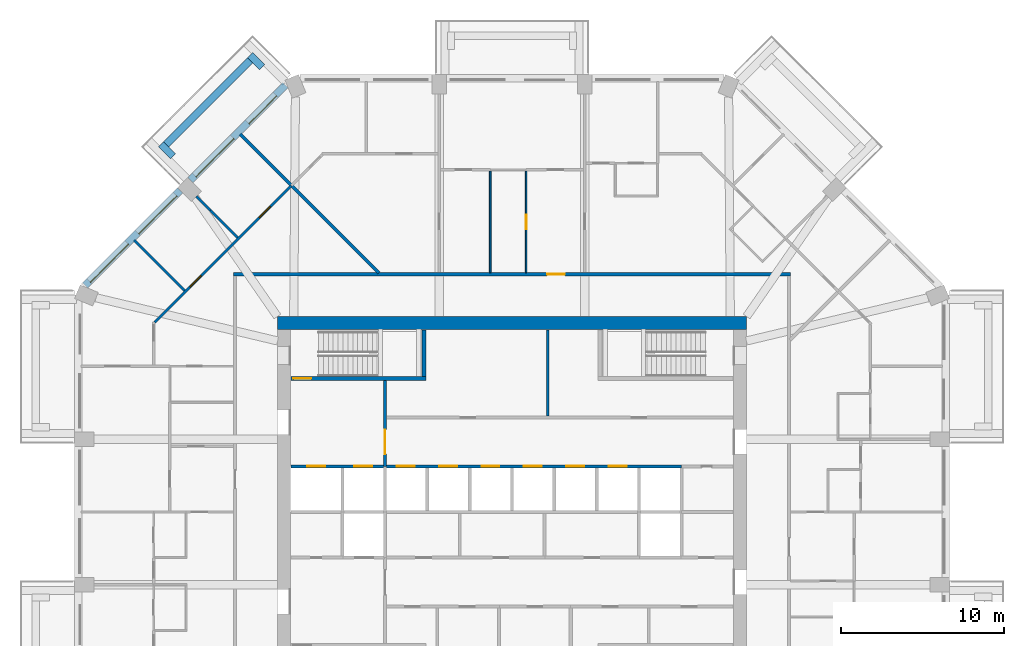
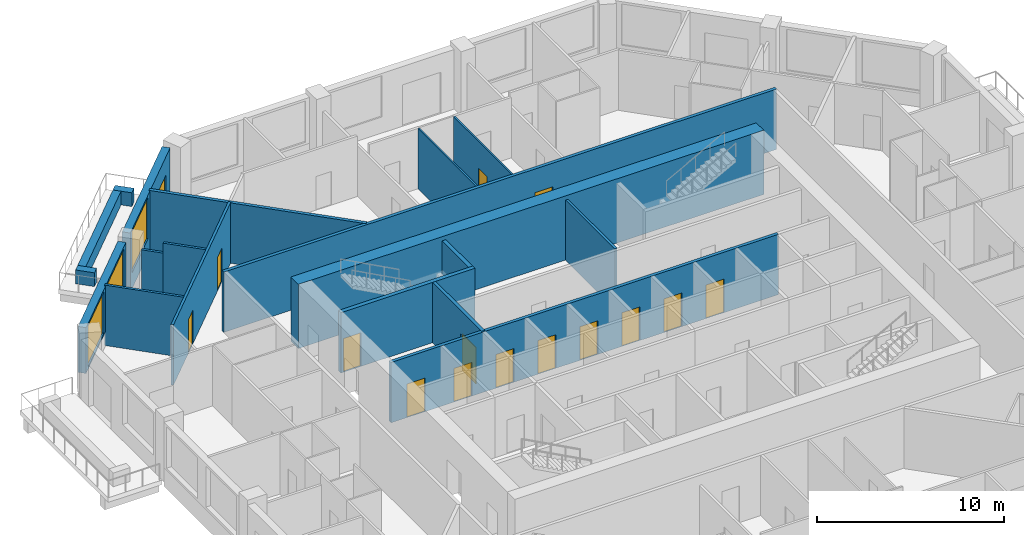
# One storey, part 8 of 13: 19 walls, 15 doors, 3 windows, 18 openings.
"""IFC4 building model written with IfcOpenShell, lengths in metres."""

import ifcopenshell
import ifcopenshell.guid

model = None  # the IFC model being written
_history = None  # IfcOwnerHistory: only IFC2X3 demands one
_inside = {}  # id of a spatial element -> (the spatial element, [elements in it])
_under = {}  # id of a project, library or spatial element -> (it, [spatial elements below it])
_declared = {}  # id of a project -> (the project, [libraries it declares])
_typed = {}  # id of a type object -> (the type object, [elements of that type])
_made_of = {}  # id of a material, layer set ... -> (it, [elements and type objects made of it])


def new_model(schema):
    """Start an empty IFC model of exactly this schema.

    Asked for "IFC4X3", IfcOpenShell would pick the latest addendum, in which some entities
    have other attributes; the version numbers below select the first issue.
    IFC2X3 requires an IfcOwnerHistory on every rooted entity: one is made here for all.
    """
    global model, _history
    if schema == "IFC4X3":
        model = ifcopenshell.file(schema_version=(4, 3, 0, 0))
    else:
        model = ifcopenshell.file(schema=schema)
    _inside.clear()
    _under.clear()
    _declared.clear()
    _typed.clear()
    _made_of.clear()
    _history = None
    if model.schema == "IFC2X3":
        org = make("IfcOrganization", Name="unknown")
        user = make(
            "IfcPersonAndOrganization",
            ThePerson=make("IfcPerson", FamilyName="unknown"),
            TheOrganization=org,
        )
        app = make(
            "IfcApplication",
            ApplicationDeveloper=org,
            Version="unknown",
            ApplicationFullName="unknown",
            ApplicationIdentifier="unknown",
        )
        _history = make(
            "IfcOwnerHistory",
            OwningUser=user,
            OwningApplication=app,
            ChangeAction="ADDED",
            CreationDate=0,
        )
    return model


def make(cls, **values):
    """One entity of the class cls with the attributes given. An attribute that is None is left unset."""
    return model.create_entity(
        cls, **{name: value for name, value in values.items() if value is not None}
    )


def rooted(cls, **values):
    """An entity with a GlobalId (a new one), such as an element, a storey or a relation."""
    return make(cls, GlobalId=ifcopenshell.guid.new(), OwnerHistory=_history, **values)


def si_unit(unit_type, name, prefix=None):
    """IfcSIUnit, for example si_unit("LENGTHUNIT", "METRE", prefix="MILLI")."""
    return make("IfcSIUnit", UnitType=unit_type, Prefix=prefix, Name=name)


def assignment(units):
    """IfcUnitAssignment: the units of a project."""
    return None if units is None else make("IfcUnitAssignment", Units=units)


def point(xyz):
    """IfcCartesianPoint."""
    return None if xyz is None else make("IfcCartesianPoint", Coordinates=xyz)


def direction(xyz):
    """IfcDirection."""
    return None if xyz is None else make("IfcDirection", DirectionRatios=xyz)


def frame(location, z_axis=None, x_axis=None):
    """IfcAxis2Placement3D, a coordinate frame: its origin and axes. An axis left out is left unset."""
    return make(
        "IfcAxis2Placement3D",
        Location=point(location),
        Axis=direction(z_axis),
        RefDirection=direction(x_axis),
    )


def frame_2d(location, x_axis=None):
    """IfcAxis2Placement2D, a coordinate frame in the plane: its origin and x axis."""
    return make(
        "IfcAxis2Placement2D", Location=point(location), RefDirection=direction(x_axis)
    )


def origin():
    """The frame at (0, 0, 0) with its axes left unset."""
    return frame((0.0, 0.0, 0.0))


def place(relative_to, where):
    """IfcLocalPlacement: puts the frame where relative to a parent placement (None: the world)."""
    return make(
        "IfcLocalPlacement", PlacementRelTo=relative_to, RelativePlacement=where
    )


def context(
    kind, dimensions, precision=None, world=None, true_north=None, identifier=None
):
    """IfcGeometricRepresentationContext, for example the 3D "Model" context."""
    return make(
        "IfcGeometricRepresentationContext",
        ContextIdentifier=identifier,
        ContextType=kind,
        CoordinateSpaceDimension=dimensions,
        Precision=precision,
        WorldCoordinateSystem=world,
        TrueNorth=true_north,
    )


def subcontext(parent, identifier, kind, view, scale=None):
    """IfcGeometricRepresentationSubContext, for example "Body" below "Model"."""
    return make(
        "IfcGeometricRepresentationSubContext",
        ContextIdentifier=identifier,
        ContextType=kind,
        ParentContext=parent,
        TargetScale=scale,
        TargetView=view,
    )


def project(units=None, contexts=None):
    """IfcProject with its units and contexts."""
    return rooted(
        "IfcProject",
        Name="project",
        RepresentationContexts=contexts,
        UnitsInContext=assignment(units),
    )


def spatial(cls, under=None, at=None, **own):
    """A site, building, storey or space (cls), placed at a placement, below another one or the project."""
    s = rooted(cls, ObjectPlacement=at, **own)
    if under is not None:
        _under.setdefault(under.id(), (under, []))[1].append(s)
    return s


def profile(cls, at=None, kind="AREA", **sizes):
    """A parametric profile (cls). Its sizes go by their IFC names, for example OverallWidth=200.0."""
    return make(cls, ProfileType=kind, Position=at, **sizes)


def rectangle(**sizes):
    """IfcRectangleProfileDef."""
    return profile("IfcRectangleProfileDef", **sizes)


def extrude(swept, where, along, depth):
    """IfcExtrudedAreaSolid: the profile swept, set in the frame where, extruded along a direction by depth."""
    return make(
        "IfcExtrudedAreaSolid",
        SweptArea=swept,
        Position=where,
        ExtrudedDirection=direction(along),
        Depth=depth,
    )


def shape(context_of_items, identifier, shape_type, items):
    """IfcShapeRepresentation: the items that make up one representation, for example the "Body"."""
    return make(
        "IfcShapeRepresentation",
        ContextOfItems=context_of_items,
        RepresentationIdentifier=identifier,
        RepresentationType=shape_type,
        Items=items,
    )


def material(Name=None, Category=None):
    """IfcMaterial."""
    return make("IfcMaterial", Name=Name, Category=Category)


def layer(
    of_material, thickness, ventilated=None, Name=None, Category=None, Priority=None
):
    """IfcMaterialLayer: one layer of a wall or slab, of a material (None: an air gap)."""
    return make(
        "IfcMaterialLayer",
        Material=of_material,
        LayerThickness=thickness,
        IsVentilated=ventilated,
        Name=Name,
        Category=Category,
        Priority=Priority,
    )


def layer_set(layers, Name=None):
    """IfcMaterialLayerSet."""
    return make("IfcMaterialLayerSet", MaterialLayers=layers, LayerSetName=Name)


def made_of(thing, what):
    """Note that an element or type object is made of a material, layer set ...; save() writes the relation."""
    if what is not None:
        _made_of.setdefault(what.id(), (what, []))[1].append(thing)
    return thing


def type_object(cls, material=None, **own):
    """A type object (cls), such as IfcWallType, which elements share."""
    return made_of(rooted(cls, **own), material)


def element(
    cls,
    number,
    at=None,
    inside=None,
    cuts=None,
    type_object=None,
    material=None,
    context=None,
    identifier="Body",
    shape_type=None,
    held_by="IfcProductDefinitionShape",
    body=None,
    shapes=None,
    **own,
):
    """One element of the class cls, such as IfcWall. Its Tag is "e" and its number.

    at: its placement. inside: the storey or other place that contains it. cuts: it is an
    opening in that element (IfcRelVoidsElement). A single representation is given by context,
    identifier, shape_type and body (its items); several are given by shapes. held_by: the class
    of the entity that holds the representations. save() writes the other relations.
    """
    e = rooted(cls, Tag="e%d" % number, ObjectPlacement=at, **own)
    if body is not None:
        shapes = [shape(context, identifier, shape_type, body)]
    if shapes is not None:
        e.Representation = make(held_by, Representations=shapes)
    if inside is not None:
        _inside.setdefault(inside.id(), (inside, []))[1].append(e)
    if cuts is not None:
        rooted(
            "IfcRelVoidsElement", RelatingBuildingElement=cuts, RelatedOpeningElement=e
        )
    if type_object is not None:
        _typed.setdefault(type_object.id(), (type_object, []))[1].append(e)
    return made_of(e, material)


def fill(opening, filler):
    """IfcRelFillsElement: the door or window that sits in an opening."""
    return rooted(
        "IfcRelFillsElement",
        RelatingOpeningElement=opening,
        RelatedBuildingElement=filler,
    )


def aggregate(whole, parts):
    """IfcRelAggregates: a whole, such as a stair, and the parts it consists of."""
    return rooted("IfcRelAggregates", RelatingObject=whole, RelatedObjects=parts)


def save(model, path):
    """Write the relations noted so far, then the file.

    IfcRelAggregates (storeys below a building ...), IfcRelContainedInSpatialStructure (elements
    in a storey), IfcRelDefinesByType, IfcRelAssociatesMaterial and IfcRelDeclares: one each for
    every whole, place, type object, material and project.
    """
    for whole, parts in _under.values():
        aggregate(whole, parts)
    for where, things in _inside.values():
        rooted(
            "IfcRelContainedInSpatialStructure",
            RelatedElements=things,
            RelatingStructure=where,
        )
    for kind, things in _typed.values():
        rooted("IfcRelDefinesByType", RelatedObjects=things, RelatingType=kind)
    for what, things in _made_of.values():
        rooted("IfcRelAssociatesMaterial", RelatedObjects=things, RelatingMaterial=what)
    for by, libraries in _declared.values():
        rooted("IfcRelDeclares", RelatingContext=by, RelatedDefinitions=libraries)
    model.write(path)


model = new_model("IFC4")

# Units and contexts
model_context = context("Model", 3, precision=1e-05, world=origin(), true_north=direction((0.0, 1.0)))
body_context = subcontext(model_context, "Body", "Model", "MODEL_VIEW")
ifc_project = project(units=[si_unit("LENGTHUNIT", "METRE"), si_unit("AREAUNIT", "SQUARE_METRE"), si_unit("VOLUMEUNIT", "CUBIC_METRE"), si_unit("PLANEANGLEUNIT", "RADIAN"), si_unit("MASSUNIT", "GRAM", prefix="KILO")], contexts=[model_context])

# Site, building, storey
site_placement = place(None, origin())
site = spatial("IfcSite", under=ifc_project, at=site_placement, CompositionType="ELEMENT")
building_placement = place(site_placement, origin())
building = spatial("IfcBuilding", under=site, at=building_placement, Name="Msitu Wima Residences", CompositionType="ELEMENT")
storey_placement = place(building_placement, frame((0.0, 0.0, 135.89990234375)))
storey = spatial("IfcBuildingStorey", under=building, at=storey_placement, Name="L31", CompositionType="ELEMENT", Elevation=135.89990234375)

# Walls
ifc_material_1 = material(Name="Facing brick")
ifc_layer_1 = layer(ifc_material_1, 0.06494140625, Name="Facing brick")
ifc_material_2 = material(Name="Concrete C40/50", Category="concrete")
ifc_layer_2 = layer(ifc_material_2, 0.156005859375, Name="Concrete C40/50")
ifc_material_3 = material(Name="Waterproofing membrane")
ifc_layer_3 = layer(ifc_material_3, 0.00390625, Name="Waterproofing membrane")
ifc_material_4 = material(Name="Planting soil and planting")
ifc_layer_4 = layer(ifc_material_4, 0.22509765625, Name="Planting soil and planting")
ifc_layer_set_1 = layer_set([ifc_layer_1, ifc_layer_2, ifc_layer_3, ifc_layer_4], Name="Concrete C40/50")
wall_type_1 = type_object("IfcWallType", Name="Balcony planter PLANTER PL450", PredefinedType="USERDEFINED", material=ifc_layer_set_1)
wall_1_placement = place(storey_placement, frame((-16.0751953125, 27.725830078125, 0.0), z_axis=(0.0, 0.0, 1.0), x_axis=(-0.707106781187, -0.707106781187, 0.0)))
element("IfcWall", 1, at=wall_1_placement, inside=storey, type_object=wall_type_1, Name="Balcony planter NW0 L31", ObjectType="PLANTER", PredefinedType="USERDEFINED", context=body_context, shape_type="SweptSolid", body=[
    extrude(rectangle(XDim=7.288330078125, YDim=0.449951171875, at=frame_2d((3.64404296875, 0.0))), origin(), (0.0, 0.0, 1.0), 0.900146484375),
])
for number, where, z_axis, x_axis, name in (
    (2, (-15.332763671875, 27.301513671875, 0.0), (0.0, 0.0, 1.0), (-0.707106781187, 0.707106781187, 0.0), "Balcony planter NW0 L31"),
    (3, (-20.804443359375, 21.829833984375, 0.0), (0.0, 0.0, 1.0), (-0.707106781187, 0.707106781187, 0.0), "Balcony planter NW0 L31"),
):
    element("IfcWall", number, at=place(storey_placement, frame(where, z_axis=z_axis, x_axis=x_axis)), inside=storey, type_object=wall_type_1, Name=name, ObjectType="PLANTER", PredefinedType="USERDEFINED", context=body_context, shape_type="SweptSolid", body=[
        extrude(rectangle(XDim=1.050048828125, YDim=0.449951171875, at=frame_2d((0.52490234375, 0.0))), origin(), (0.0, 0.0, 1.0), 0.900146484375),
    ])

# Wall, openings, door, window
ifc_material_5 = material(Name="Brick (red buff mix)", Category="masonry")
ifc_layer_5 = layer(ifc_material_5, 0.449951171875)
ifc_layer_set_2 = layer_set([ifc_layer_5], Name="Brick (red buff mix)")
wall_type_2 = type_object("IfcWallType", Name="Brick infill wall BW450", PredefinedType="SOLIDWALL", material=ifc_layer_set_2)
wall_2_placement = place(storey_placement, frame((-13.909423828125, 26.214599609375, 0.0), z_axis=(0.0, 0.0, 1.0), x_axis=(-0.707106781187, -0.707106781187, 0.0)))
wall_2 = element("IfcWall", 4, at=wall_2_placement, inside=storey, type_object=wall_type_2, Name="Brick infill wall L31 NW0", PredefinedType="SOLIDWALL", context=body_context, shape_type="SweptSolid", body=[
    extrude(rectangle(XDim=8.251220703125, YDim=0.449951171875, at=frame_2d((4.12548828125, 0.0))), origin(), (0.0, 0.0, 1.0), 3.900146484375),
])
opening_1_placement = place(wall_2_placement, frame((0.86279296875, 0.0, 0.0)))
opening_1 = element("IfcOpeningElement", 5, at=opening_1_placement, cuts=wall_2, Name="Opening D30-32.005", PredefinedType="OPENING", context=body_context, shape_type="SweptSolid", body=[
    extrude(rectangle(XDim=2.39990234375, YDim=2.699951171875, at=frame_2d((1.199951171875, 1.35009765625))), frame((0.0, 0.23486328125, 0.0), z_axis=(0.0, -1.0, 0.0), x_axis=(1.0, 0.0, 0.0)), (0.0, 0.0, 1.0), 0.469970703125),
])
opening_2_placement = place(wall_2_placement, frame((4.57568359375, 0.0, 1.050048828125)))
opening_2 = element("IfcOpeningElement", 6, at=opening_2_placement, cuts=wall_2, Name="Opening W30-32.013", PredefinedType="OPENING", context=body_context, shape_type="SweptSolid", body=[
    extrude(rectangle(XDim=3.300048828125, YDim=2.699951171875, at=frame_2d((1.64990234375, 1.35009765625))), frame((0.0, 0.23486328125, 0.0), z_axis=(0.0, -1.0, 0.0), x_axis=(1.0, 0.0, 0.0)), (0.0, 0.0, 1.0), 0.469970703125),
])
ifc_material_6 = material(Name="Anodised aluminium, bronze finish, clear low-emissivity double glazing", Category="aluminium")
door_type_1 = type_object("IfcDoorType", Name="Balcony door D2400x2700", OperationType="SLIDING_TO_LEFT", PredefinedType="DOOR", material=ifc_material_6)
door_1_placement = place(opening_1_placement, origin())
door_1 = element("IfcDoor", 7, at=door_1_placement, inside=storey, type_object=door_type_1, Name="Balcony door L31 NW0", OperationType="SINGLE_SWING_LEFT", OverallHeight=2.699951171875, OverallWidth=2.39990234375, PredefinedType="DOOR", context=body_context, shape_type="SweptSolid", body=[
    extrude(rectangle(XDim=2.39990234375, YDim=2.699951171875, at=frame_2d((1.199951171875, 1.35009765625))), frame((0.0, 0.1298828125, 0.0), z_axis=(0.0, -1.0, 0.0), x_axis=(1.0, 0.0, 0.0)), (0.0, 0.0, 1.0), 0.050048828125),
])
fill(opening_1, door_1)
window_type = type_object("IfcWindowType", Name="Window W3300x2700", PartitioningType="DOUBLE_PANEL_VERTICAL", PredefinedType="WINDOW", material=ifc_material_6)
window_1_placement = place(opening_2_placement, origin())
window_1 = element("IfcWindow", 8, at=window_1_placement, inside=storey, type_object=window_type, Name="Window L31 NW0.2", OverallHeight=2.699951171875, OverallWidth=3.300048828125, PartitioningType="SINGLE_PANEL", PredefinedType="WINDOW", context=body_context, shape_type="SweptSolid", body=[
    extrude(rectangle(XDim=3.300048828125, YDim=2.699951171875, at=frame_2d((1.64990234375, 1.35009765625))), frame((0.0, 0.135009765625, 0.0), z_axis=(0.0, -1.0, 0.0), x_axis=(1.0, 0.0, 0.0)), (0.0, 0.0, 1.0), 0.06005859375),
])
fill(opening_2, window_1)

# Wall, openings, windows
wall_3_placement = place(storey_placement, frame((-20.380126953125, 19.743896484375, 0.900146484375), z_axis=(0.0, 0.0, 1.0), x_axis=(-0.707106781187, -0.707106781187, 0.0)))
wall_3 = element("IfcWall", 9, at=wall_3_placement, inside=storey, type_object=wall_type_2, Name="Brick infill wall L31 NW1", PredefinedType="SOLIDWALL", context=body_context, shape_type="SweptSolid", body=[
    extrude(rectangle(XDim=8.251220703125, YDim=0.449951171875, at=frame_2d((4.12548828125, 0.0))), origin(), (0.0, 0.0, 1.0), 3.0),
])
opening_3_placement = place(wall_3_placement, frame((0.37548828125, 0.0, 0.14990234375)))
opening_3 = element("IfcOpeningElement", 10, at=opening_3_placement, cuts=wall_3, Name="Opening W30-32.014", PredefinedType="OPENING", context=body_context, shape_type="SweptSolid", body=[
    extrude(rectangle(XDim=3.300048828125, YDim=2.699951171875, at=frame_2d((1.64990234375, 1.35009765625))), frame((0.0, 0.23486328125, 0.0), z_axis=(0.0, -1.0, 0.0), x_axis=(1.0, 0.0, 0.0)), (0.0, 0.0, 1.0), 0.469970703125),
])
opening_4_placement = place(wall_3_placement, frame((4.57568359375, 0.0, 0.14990234375)))
opening_4 = element("IfcOpeningElement", 11, at=opening_4_placement, cuts=wall_3, Name="Opening W30-32.015", PredefinedType="OPENING", context=body_context, shape_type="SweptSolid", body=[
    extrude(rectangle(XDim=3.300048828125, YDim=2.699951171875, at=frame_2d((1.64990234375, 1.35009765625))), frame((0.0, 0.23486328125, 0.0), z_axis=(0.0, -1.0, 0.0), x_axis=(1.0, 0.0, 0.0)), (0.0, 0.0, 1.0), 0.469970703125),
])
window_2_placement = place(opening_3_placement, origin())
window_2 = element("IfcWindow", 12, at=window_2_placement, inside=storey, type_object=window_type, Name="Window L31 NW1.1", OverallHeight=2.699951171875, OverallWidth=3.300048828125, PartitioningType="SINGLE_PANEL", PredefinedType="WINDOW", context=body_context, shape_type="SweptSolid", body=[
    extrude(rectangle(XDim=3.300048828125, YDim=2.699951171875, at=frame_2d((1.64990234375, 1.35009765625))), frame((0.0, 0.135009765625, 0.0), z_axis=(0.0, -1.0, 0.0), x_axis=(1.0, 0.0, 0.0)), (0.0, 0.0, 1.0), 0.06005859375),
])
fill(opening_3, window_2)
window_3_placement = place(opening_4_placement, origin())
window_3 = element("IfcWindow", 13, at=window_3_placement, inside=storey, type_object=window_type, Name="Window L31 NW1.2", OverallHeight=2.699951171875, OverallWidth=3.300048828125, PartitioningType="SINGLE_PANEL", PredefinedType="WINDOW", context=body_context, shape_type="SweptSolid", body=[
    extrude(rectangle(XDim=3.300048828125, YDim=2.699951171875, at=frame_2d((1.64990234375, 1.35009765625))), frame((0.0, 0.135009765625, 0.0), z_axis=(0.0, -1.0, 0.0), x_axis=(1.0, 0.0, 0.0)), (0.0, 0.0, 1.0), 0.06005859375),
])
fill(opening_4, window_3)

# Wall
ifc_material_7 = material(Name="Concrete C70/85", Category="concrete")
ifc_layer_6 = layer(ifc_material_7, 0.800048828125)
ifc_layer_set_3 = layer_set([ifc_layer_6], Name="Concrete C70/85")
wall_type_3 = type_object("IfcWallType", Name="Core wall CW800 C70/85", PredefinedType="SHEAR", material=ifc_layer_set_3)
wall_4_placement = place(storey_placement, frame((-14.39990234375, 11.60009765625, 0.0), z_axis=(0.0, 0.0, 1.0), x_axis=(1.0, 0.0, 0.0)))
element("IfcWall", 14, at=wall_4_placement, inside=storey, type_object=wall_type_3, Name="Core wall", PredefinedType="SHEAR", context=body_context, shape_type="SweptSolid", body=[
    extrude(rectangle(XDim=28.7998046875, YDim=0.800048828125, at=frame_2d((14.39990234375, 0.0))), origin(), (0.0, 0.0, 1.0), 4.2001953125),
])

# Wall, opening, door
ifc_material_8 = material(Name="Plaster")
ifc_layer_7 = layer(ifc_material_8, 0.011962890625, Name="Plaster")
ifc_material_9 = material(Name="Concrete blockwork", Category="masonry")
ifc_layer_8 = layer(ifc_material_9, 0.176025390625, Name="Concrete blockwork")
ifc_layer_9 = layer(ifc_material_8, 0.011962890625, Name="Plaster")
ifc_layer_set_4 = layer_set([ifc_layer_7, ifc_layer_8, ifc_layer_9], Name="Concrete blockwork")
wall_type_4 = type_object("IfcWallType", Name="Corridor wall FW200", PredefinedType="PARTITIONING", material=ifc_layer_set_4)
wall_5_placement = place(storey_placement, frame((-17.10009765625, 14.60009765625, 0.0), z_axis=(0.0, 0.0, 1.0), x_axis=(1.0, 0.0, 0.0)))
wall_5 = element("IfcWall", 15, at=wall_5_placement, inside=storey, type_object=wall_type_4, Name="Corridor wall", PredefinedType="PARTITIONING", context=body_context, shape_type="SweptSolid", body=[
    extrude(rectangle(XDim=34.2001953125, YDim=0.199951171875, at=frame_2d((17.10009765625, 0.0))), origin(), (0.0, 0.0, 1.0), 3.9501953125),
])
opening_5_placement = place(wall_5_placement, frame((19.25, 0.0, 0.0)))
opening_5 = element("IfcOpeningElement", 16, at=opening_5_placement, cuts=wall_5, Name="Opening D30-32.011", PredefinedType="OPENING", context=body_context, shape_type="SweptSolid", body=[
    extrude(rectangle(XDim=1.10009765625, YDim=2.39990234375, at=frame_2d((0.550048828125, 1.199951171875))), frame((0.0, 0.10986328125, 0.0), z_axis=(0.0, -1.0, 0.0), x_axis=(1.0, 0.0, 0.0)), (0.0, 0.0, 1.0), 0.219970703125),
])
ifc_material_10 = material(Name="Timber flush door, fire resisting, self-closing", Category="wood")
door_type_2 = type_object("IfcDoorType", Name="Flat entrance door D01 1100x2400", OperationType="SINGLE_SWING_LEFT", PredefinedType="DOOR", material=ifc_material_10)
door_2_placement = place(opening_5_placement, origin())
door_2 = element("IfcDoor", 17, at=door_2_placement, inside=storey, type_object=door_type_2, Name="Flat entrance door", OperationType="SINGLE_SWING_RIGHT", OverallHeight=2.39990234375, OverallWidth=1.10009765625, PredefinedType="DOOR", context=body_context, shape_type="SweptSolid", body=[
    extrude(rectangle(XDim=1.10009765625, YDim=2.39990234375, at=frame_2d((0.550048828125, 1.199951171875))), frame((0.0, 0.02490234375, 0.0), z_axis=(0.0, -1.0, 0.0), x_axis=(1.0, 0.0, 0.0)), (0.0, 0.0, 1.0), 0.050048828125),
])
fill(opening_5, door_2)

wall_6_placement = place(storey_placement, frame((-7.800048828125, 2.800048828125, 0.0), z_axis=(0.0, 0.0, 1.0), x_axis=(0.0, 1.0, 0.0)))
wall_6 = element("IfcWall", 18, at=wall_6_placement, inside=storey, type_object=wall_type_4, Name="Corridor wall", PredefinedType="PARTITIONING", context=body_context, shape_type="SweptSolid", body=[
    extrude(rectangle(XDim=5.27490234375, YDim=0.199951171875, at=frame_2d((2.637451171875, 0.0))), origin(), (0.0, 0.0, 1.0), 3.9501953125),
])
opening_6_placement = place(wall_6_placement, frame((0.75, 0.0, 0.0)))
opening_6 = element("IfcOpeningElement", 19, at=opening_6_placement, cuts=wall_6, Name="Opening D30-32.017", PredefinedType="OPENING", context=body_context, shape_type="SweptSolid", body=[
    extrude(rectangle(XDim=1.5, YDim=2.39990234375, at=frame_2d((0.75, 1.199951171875))), frame((0.0, 0.10986328125, 0.0), z_axis=(0.0, -1.0, 0.0), x_axis=(1.0, 0.0, 0.0)), (0.0, 0.0, 1.0), 0.219970703125),
])
ifc_material_11 = material(Name="Steel framed glazed door, fire resisting", Category="steel")
door_type_3 = type_object("IfcDoorType", Name="Lobby door D07 1500x2400", OperationType="DOUBLE_DOOR_SINGLE_SWING", PredefinedType="DOOR", material=ifc_material_11)
door_3_placement = place(opening_6_placement, origin())
door_3 = element("IfcDoor", 20, at=door_3_placement, inside=storey, type_object=door_type_3, Name="Lobby door", OperationType="DOUBLE_DOOR_SINGLE_SWING", OverallHeight=2.39990234375, OverallWidth=1.5, PredefinedType="DOOR", context=body_context, shape_type="SweptSolid", body=[
    extrude(rectangle(XDim=1.5, YDim=2.39990234375, at=frame_2d((0.75, 1.199951171875))), frame((0.0, 0.02490234375, 0.0), z_axis=(0.0, -1.0, 0.0), x_axis=(1.0, 0.0, 0.0)), (0.0, 0.0, 1.0), 0.050048828125),
])
fill(opening_6, door_3)

# Wall
ifc_layer_10 = layer(ifc_material_8, 0.011962890625, Name="Plaster")
ifc_layer_11 = layer(ifc_material_9, 0.1259765625, Name="Concrete blockwork")
ifc_layer_12 = layer(ifc_material_8, 0.011962890625, Name="Plaster")
ifc_layer_set_5 = layer_set([ifc_layer_10, ifc_layer_11, ifc_layer_12], Name="Concrete blockwork")
wall_type_5 = type_object("IfcWallType", Name="Partition PW150", PredefinedType="PARTITIONING", material=ifc_layer_set_5)
wall_7_placement = place(storey_placement, frame((-23.1904296875, 16.693359375, 0.0), z_axis=(0.0, 0.0, 1.0), x_axis=(0.707106781187, -0.707106781187, 0.0)))
element("IfcWall", 21, at=wall_7_placement, inside=storey, type_object=wall_type_5, Name="Partition", PredefinedType="PARTITIONING", context=body_context, shape_type="SweptSolid", body=[
    extrude(rectangle(XDim=4.380126953125, YDim=0.14990234375, at=frame_2d((2.18994140625, 0.0))), origin(), (0.0, 0.0, 1.0), 3.9501953125),
])

# Wall, openings, doors
wall_8_placement = place(storey_placement, frame((-21.947021484375, 11.636474609375, 0.0), z_axis=(0.0, 0.0, 1.0), x_axis=(0.707106781187, 0.707106781187, 0.0)))
wall_8 = element("IfcWall", 22, at=wall_8_placement, inside=storey, type_object=wall_type_5, Name="Partition", PredefinedType="PARTITIONING", context=body_context, shape_type="SweptSolid", body=[
    extrude(rectangle(XDim=11.884765625, YDim=0.14990234375, at=frame_2d((5.9423828125, 0.0))), origin(), (0.0, 0.0, 1.0), 3.9501953125),
])
opening_7_placement = place(wall_8_placement, frame((9.10009765625, 0.0, 0.0)))
opening_7 = element("IfcOpeningElement", 23, at=opening_7_placement, cuts=wall_8, Name="Opening D30-32.056", PredefinedType="OPENING", context=body_context, shape_type="SweptSolid", body=[
    extrude(rectangle(XDim=0.949951171875, YDim=2.199951171875, at=frame_2d((0.47509765625, 1.10009765625))), frame((0.0, 0.0849609375, 0.0), z_axis=(0.0, -1.0, 0.0), x_axis=(1.0, 0.0, 0.0)), (0.0, 0.0, 1.0), 0.169921875),
])
opening_8_placement = place(wall_8_placement, frame((3.10009765625, 0.0, 0.0)))
opening_8 = element("IfcOpeningElement", 24, at=opening_8_placement, cuts=wall_8, Name="Opening D30-32.057", PredefinedType="OPENING", context=body_context, shape_type="SweptSolid", body=[
    extrude(rectangle(XDim=0.949951171875, YDim=2.199951171875, at=frame_2d((0.47509765625, 1.10009765625))), frame((0.0, 0.0849609375, 0.0), z_axis=(0.0, -1.0, 0.0), x_axis=(1.0, 0.0, 0.0)), (0.0, 0.0, 1.0), 0.169921875),
])
ifc_material_12 = material(Name="Timber flush door", Category="wood")
door_type_4 = type_object("IfcDoorType", Name="Room door D12 950x2200", OperationType="SINGLE_SWING_LEFT", PredefinedType="DOOR", material=ifc_material_12)
door_4_placement = place(opening_7_placement, origin())
door_4 = element("IfcDoor", 25, at=door_4_placement, inside=storey, type_object=door_type_4, Name="Room door", OperationType="SINGLE_SWING_LEFT", OverallHeight=2.199951171875, OverallWidth=0.949951171875, PredefinedType="DOOR", context=body_context, shape_type="SweptSolid", body=[
    extrude(rectangle(XDim=0.949951171875, YDim=2.199951171875, at=frame_2d((0.47509765625, 1.10009765625))), frame((0.0, 0.02490234375, 0.0), z_axis=(0.0, -1.0, 0.0), x_axis=(1.0, 0.0, 0.0)), (0.0, 0.0, 1.0), 0.050048828125),
])
fill(opening_7, door_4)
door_5_placement = place(opening_8_placement, origin())
door_5 = element("IfcDoor", 26, at=door_5_placement, inside=storey, type_object=door_type_4, Name="Room door", OperationType="SINGLE_SWING_LEFT", OverallHeight=2.199951171875, OverallWidth=0.949951171875, PredefinedType="DOOR", context=body_context, shape_type="SweptSolid", body=[
    extrude(rectangle(XDim=0.949951171875, YDim=2.199951171875, at=frame_2d((0.47509765625, 1.10009765625))), frame((0.0, 0.02490234375, 0.0), z_axis=(0.0, -1.0, 0.0), x_axis=(1.0, 0.0, 0.0)), (0.0, 0.0, 1.0), 0.050048828125),
])
fill(opening_8, door_5)

# Walls
wall_9_placement = place(storey_placement, frame((-19.37255859375, 19.37255859375, 0.0), z_axis=(0.0, 0.0, 1.0), x_axis=(0.707106781187, -0.707106781187, 0.0)))
element("IfcWall", 27, at=wall_9_placement, inside=storey, type_object=wall_type_5, Name="Partition", PredefinedType="PARTITIONING", context=body_context, shape_type="SweptSolid", body=[
    extrude(rectangle(XDim=1.209228515625, YDim=0.14990234375, at=frame_2d((0.6044921875, 0.0))), origin(), (0.0, 0.0, 1.0), 3.300048828125),
])
wall_10_placement = place(storey_placement, frame((-18.517578125, 18.517578125, 0.0), z_axis=(0.0, 0.0, 1.0), x_axis=(0.707106781187, -0.707106781187, 0.0)))
element("IfcWall", 28, at=wall_10_placement, inside=storey, type_object=wall_type_5, Name="Partition", PredefinedType="PARTITIONING", context=body_context, shape_type="SweptSolid", body=[
    extrude(rectangle(XDim=2.36572265625, YDim=0.14990234375, at=frame_2d((1.182861328125, 0.0))), origin(), (0.0, 0.0, 1.0), 3.9501953125),
])
wall_11_placement = place(storey_placement, frame((2.199951171875, 5.89990234375, 0.0), z_axis=(0.0, 0.0, 1.0), x_axis=(0.0, 1.0, 0.0)))
element("IfcWall", 29, at=wall_11_placement, inside=storey, type_object=wall_type_5, Name="Partition", PredefinedType="PARTITIONING", context=body_context, shape_type="SweptSolid", body=[
    extrude(rectangle(XDim=5.27001953125, YDim=0.14990234375, at=frame_2d((2.635009765625, 0.0))), origin(), (0.0, 0.0, 1.0), 3.9501953125),
])
ifc_layer_13 = layer(ifc_material_8, 0.011962890625, Name="Plaster")
ifc_material_13 = material(Name="Dense concrete blockwork", Category="masonry")
ifc_layer_14 = layer(ifc_material_13, 0.176025390625, Name="Dense concrete blockwork")
ifc_layer_15 = layer(ifc_material_8, 0.011962890625, Name="Plaster")
ifc_layer_set_6 = layer_set([ifc_layer_13, ifc_layer_14, ifc_layer_15], Name="Dense concrete blockwork")
wall_type_6 = type_object("IfcWallType", Name="Party wall PW200", PredefinedType="PARTITIONING", material=ifc_layer_set_6)
wall_12_placement = place(storey_placement, frame((-16.693359375, 23.1904296875, 0.0), z_axis=(0.0, 0.0, 1.0), x_axis=(0.707106781187, -0.707106781187, 0.0)))
element("IfcWall", 30, at=wall_12_placement, inside=storey, type_object=wall_type_6, Name="Party wall", PredefinedType="PARTITIONING", context=body_context, shape_type="SweptSolid", body=[
    extrude(rectangle(XDim=12.048828125, YDim=0.199951171875, at=frame_2d((6.0244140625, 0.0))), origin(), (0.0, 0.0, 1.0), 3.9501953125),
])

# Wall, openings, doors
ifc_material_14 = material(Name="Fire-rated board")
ifc_layer_16 = layer(ifc_material_14, 0.02490234375, Name="Fire-rated board")
ifc_material_15 = material(Name="Light-gauge stud framing with mineral wool")
ifc_layer_17 = layer(ifc_material_15, 0.14990234375, Name="Light-gauge stud framing with mineral wool")
ifc_layer_18 = layer(ifc_material_14, 0.02490234375, Name="Fire-rated board")
ifc_layer_set_7 = layer_set([ifc_layer_16, ifc_layer_17, ifc_layer_18], Name="Light-gauge stud framing with mineral wool")
wall_type_7 = type_object("IfcWallType", Name="Shaft wall SH200", PredefinedType="PARTITIONING", material=ifc_layer_set_7)
wall_13_placement = place(storey_placement, frame((-13.570068359375, 2.800048828125, 0.0), z_axis=(0.0, 0.0, 1.0), x_axis=(1.0, 0.0, 0.0)))
wall_13 = element("IfcWall", 31, at=wall_13_placement, inside=storey, type_object=wall_type_7, Name="Shaft wall", PredefinedType="PARTITIONING", context=body_context, shape_type="SweptSolid", body=[
    extrude(rectangle(XDim=23.969970703125, YDim=0.199951171875, at=frame_2d((11.98486328125, 0.0))), origin(), (0.0, 0.0, 1.0), 3.9501953125),
])
opening_9_placement = place(wall_13_placement, frame((1.0, 0.0, 0.0)))
opening_9 = element("IfcOpeningElement", 32, at=opening_9_placement, cuts=wall_13, Name="Opening LD", PredefinedType="OPENING", context=body_context, shape_type="SweptSolid", body=[
    extrude(rectangle(XDim=1.10009765625, YDim=2.199951171875, at=frame_2d((0.550048828125, 1.10009765625))), frame((0.0, 0.10986328125, 0.0), z_axis=(0.0, -1.0, 0.0), x_axis=(1.0, 0.0, 0.0)), (0.0, 0.0, 1.0), 0.219970703125),
])
opening_10_placement = place(wall_13_placement, frame((3.89990234375, 0.0, 0.0)))
opening_10 = element("IfcOpeningElement", 33, at=opening_10_placement, cuts=wall_13, Name="Opening LD", PredefinedType="OPENING", context=body_context, shape_type="SweptSolid", body=[
    extrude(rectangle(XDim=1.10009765625, YDim=2.199951171875, at=frame_2d((0.550048828125, 1.10009765625))), frame((0.0, 0.10986328125, 0.0), z_axis=(0.0, -1.0, 0.0), x_axis=(1.0, 0.0, 0.0)), (0.0, 0.0, 1.0), 0.219970703125),
])
opening_11_placement = place(wall_13_placement, frame((6.5, 0.0, 0.0)))
opening_11 = element("IfcOpeningElement", 34, at=opening_11_placement, cuts=wall_13, Name="Opening LD", PredefinedType="OPENING", context=body_context, shape_type="SweptSolid", body=[
    extrude(rectangle(XDim=1.10009765625, YDim=2.199951171875, at=frame_2d((0.550048828125, 1.10009765625))), frame((0.0, 0.10986328125, 0.0), z_axis=(0.0, -1.0, 0.0), x_axis=(1.0, 0.0, 0.0)), (0.0, 0.0, 1.0), 0.219970703125),
])
opening_12_placement = place(wall_13_placement, frame((9.10009765625, 0.0, 0.0)))
opening_12 = element("IfcOpeningElement", 35, at=opening_12_placement, cuts=wall_13, Name="Opening LD", PredefinedType="OPENING", context=body_context, shape_type="SweptSolid", body=[
    extrude(rectangle(XDim=1.10009765625, YDim=2.199951171875, at=frame_2d((0.550048828125, 1.10009765625))), frame((0.0, 0.10986328125, 0.0), z_axis=(0.0, -1.0, 0.0), x_axis=(1.0, 0.0, 0.0)), (0.0, 0.0, 1.0), 0.219970703125),
])
opening_13_placement = place(wall_13_placement, frame((11.699951171875, 0.0, 0.0)))
opening_13 = element("IfcOpeningElement", 36, at=opening_13_placement, cuts=wall_13, Name="Opening LD", PredefinedType="OPENING", context=body_context, shape_type="SweptSolid", body=[
    extrude(rectangle(XDim=1.10009765625, YDim=2.199951171875, at=frame_2d((0.550048828125, 1.10009765625))), frame((0.0, 0.10986328125, 0.0), z_axis=(0.0, -1.0, 0.0), x_axis=(1.0, 0.0, 0.0)), (0.0, 0.0, 1.0), 0.219970703125),
])
opening_14_placement = place(wall_13_placement, frame((14.300048828125, 0.0, 0.0)))
opening_14 = element("IfcOpeningElement", 37, at=opening_14_placement, cuts=wall_13, Name="Opening LD", PredefinedType="OPENING", context=body_context, shape_type="SweptSolid", body=[
    extrude(rectangle(XDim=1.10009765625, YDim=2.199951171875, at=frame_2d((0.550048828125, 1.10009765625))), frame((0.0, 0.10986328125, 0.0), z_axis=(0.0, -1.0, 0.0), x_axis=(1.0, 0.0, 0.0)), (0.0, 0.0, 1.0), 0.219970703125),
])
opening_15_placement = place(wall_13_placement, frame((16.89990234375, 0.0, 0.0)))
opening_15 = element("IfcOpeningElement", 38, at=opening_15_placement, cuts=wall_13, Name="Opening LD", PredefinedType="OPENING", context=body_context, shape_type="SweptSolid", body=[
    extrude(rectangle(XDim=1.10009765625, YDim=2.199951171875, at=frame_2d((0.550048828125, 1.10009765625))), frame((0.0, 0.10986328125, 0.0), z_axis=(0.0, -1.0, 0.0), x_axis=(1.0, 0.0, 0.0)), (0.0, 0.0, 1.0), 0.219970703125),
])
opening_16_placement = place(wall_13_placement, frame((19.5, 0.0, 0.0)))
opening_16 = element("IfcOpeningElement", 39, at=opening_16_placement, cuts=wall_13, Name="Opening LD", PredefinedType="OPENING", context=body_context, shape_type="SweptSolid", body=[
    extrude(rectangle(XDim=1.10009765625, YDim=2.199951171875, at=frame_2d((0.550048828125, 1.10009765625))), frame((0.0, 0.10986328125, 0.0), z_axis=(0.0, -1.0, 0.0), x_axis=(1.0, 0.0, 0.0)), (0.0, 0.0, 1.0), 0.219970703125),
])
ifc_material_16 = material(Name="Stainless steel centre-opening landing door, rated", Category="steel")
door_type_5 = type_object("IfcDoorType", Name="Lift landing door LD 1100x2200", OperationType="DOUBLE_DOOR_SLIDING", PredefinedType="DOOR", material=ifc_material_16)
door_6_placement = place(opening_9_placement, origin())
door_6 = element("IfcDoor", 40, at=door_6_placement, inside=storey, type_object=door_type_5, Name="Lift landing door LD1", OperationType="DOUBLE_DOOR_SLIDING", OverallHeight=2.199951171875, OverallWidth=1.10009765625, PredefinedType="DOOR", context=body_context, shape_type="SweptSolid", body=[
    extrude(rectangle(XDim=1.10009765625, YDim=2.199951171875, at=frame_2d((0.550048828125, 1.10009765625))), frame((0.0, 0.02490234375, 0.0), z_axis=(0.0, -1.0, 0.0), x_axis=(1.0, 0.0, 0.0)), (0.0, 0.0, 1.0), 0.050048828125),
])
fill(opening_9, door_6)
door_7_placement = place(opening_10_placement, origin())
door_7 = element("IfcDoor", 41, at=door_7_placement, inside=storey, type_object=door_type_5, Name="Lift landing door LD2", OperationType="DOUBLE_DOOR_SLIDING", OverallHeight=2.199951171875, OverallWidth=1.10009765625, PredefinedType="DOOR", context=body_context, shape_type="SweptSolid", body=[
    extrude(rectangle(XDim=1.10009765625, YDim=2.199951171875, at=frame_2d((0.550048828125, 1.10009765625))), frame((0.0, 0.02490234375, 0.0), z_axis=(0.0, -1.0, 0.0), x_axis=(1.0, 0.0, 0.0)), (0.0, 0.0, 1.0), 0.050048828125),
])
fill(opening_10, door_7)
door_8_placement = place(opening_11_placement, origin())
door_8 = element("IfcDoor", 42, at=door_8_placement, inside=storey, type_object=door_type_5, Name="Lift landing door LD4", OperationType="DOUBLE_DOOR_SLIDING", OverallHeight=2.199951171875, OverallWidth=1.10009765625, PredefinedType="DOOR", context=body_context, shape_type="SweptSolid", body=[
    extrude(rectangle(XDim=1.10009765625, YDim=2.199951171875, at=frame_2d((0.550048828125, 1.10009765625))), frame((0.0, 0.02490234375, 0.0), z_axis=(0.0, -1.0, 0.0), x_axis=(1.0, 0.0, 0.0)), (0.0, 0.0, 1.0), 0.050048828125),
])
fill(opening_11, door_8)
door_9_placement = place(opening_12_placement, origin())
door_9 = element("IfcDoor", 43, at=door_9_placement, inside=storey, type_object=door_type_5, Name="Lift landing door LD6", OperationType="DOUBLE_DOOR_SLIDING", OverallHeight=2.199951171875, OverallWidth=1.10009765625, PredefinedType="DOOR", context=body_context, shape_type="SweptSolid", body=[
    extrude(rectangle(XDim=1.10009765625, YDim=2.199951171875, at=frame_2d((0.550048828125, 1.10009765625))), frame((0.0, 0.02490234375, 0.0), z_axis=(0.0, -1.0, 0.0), x_axis=(1.0, 0.0, 0.0)), (0.0, 0.0, 1.0), 0.050048828125),
])
fill(opening_12, door_9)
door_10_placement = place(opening_13_placement, origin())
door_10 = element("IfcDoor", 44, at=door_10_placement, inside=storey, type_object=door_type_5, Name="Lift landing door LD8", OperationType="DOUBLE_DOOR_SLIDING", OverallHeight=2.199951171875, OverallWidth=1.10009765625, PredefinedType="DOOR", context=body_context, shape_type="SweptSolid", body=[
    extrude(rectangle(XDim=1.10009765625, YDim=2.199951171875, at=frame_2d((0.550048828125, 1.10009765625))), frame((0.0, 0.02490234375, 0.0), z_axis=(0.0, -1.0, 0.0), x_axis=(1.0, 0.0, 0.0)), (0.0, 0.0, 1.0), 0.050048828125),
])
fill(opening_13, door_10)
door_11_placement = place(opening_14_placement, origin())
door_11 = element("IfcDoor", 45, at=door_11_placement, inside=storey, type_object=door_type_5, Name="Lift landing door LD10", OperationType="DOUBLE_DOOR_SLIDING", OverallHeight=2.199951171875, OverallWidth=1.10009765625, PredefinedType="DOOR", context=body_context, shape_type="SweptSolid", body=[
    extrude(rectangle(XDim=1.10009765625, YDim=2.199951171875, at=frame_2d((0.550048828125, 1.10009765625))), frame((0.0, 0.02490234375, 0.0), z_axis=(0.0, -1.0, 0.0), x_axis=(1.0, 0.0, 0.0)), (0.0, 0.0, 1.0), 0.050048828125),
])
fill(opening_14, door_11)
door_12_placement = place(opening_15_placement, origin())
door_12 = element("IfcDoor", 46, at=door_12_placement, inside=storey, type_object=door_type_5, Name="Lift landing door LD12", OperationType="DOUBLE_DOOR_SLIDING", OverallHeight=2.199951171875, OverallWidth=1.10009765625, PredefinedType="DOOR", context=body_context, shape_type="SweptSolid", body=[
    extrude(rectangle(XDim=1.10009765625, YDim=2.199951171875, at=frame_2d((0.550048828125, 1.10009765625))), frame((0.0, 0.02490234375, 0.0), z_axis=(0.0, -1.0, 0.0), x_axis=(1.0, 0.0, 0.0)), (0.0, 0.0, 1.0), 0.050048828125),
])
fill(opening_15, door_12)
door_13_placement = place(opening_16_placement, origin())
door_13 = element("IfcDoor", 47, at=door_13_placement, inside=storey, type_object=door_type_5, Name="Lift landing door LD14", OperationType="DOUBLE_DOOR_SLIDING", OverallHeight=2.199951171875, OverallWidth=1.10009765625, PredefinedType="DOOR", context=body_context, shape_type="SweptSolid", body=[
    extrude(rectangle(XDim=1.10009765625, YDim=2.199951171875, at=frame_2d((0.550048828125, 1.10009765625))), frame((0.0, 0.02490234375, 0.0), z_axis=(0.0, -1.0, 0.0), x_axis=(1.0, 0.0, 0.0)), (0.0, 0.0, 1.0), 0.050048828125),
])
fill(opening_16, door_13)

# Wall, opening, door
ifc_material_17 = material(Name="Concrete C50/60", Category="concrete")
ifc_layer_19 = layer(ifc_material_17, 0.25)
ifc_layer_set_8 = layer_set([ifc_layer_19], Name="Concrete C50/60")
wall_type_8 = type_object("IfcWallType", Name="Stair enclosure wall SW250", PredefinedType="SHEAR", material=ifc_layer_set_8)
wall_14_placement = place(storey_placement, frame((-13.570068359375, 8.199951171875, 0.0), z_axis=(0.0, 0.0, 1.0), x_axis=(1.0, 0.0, 0.0)))
wall_14 = element("IfcWall", 48, at=wall_14_placement, inside=storey, type_object=wall_type_8, Name="Stair enclosure wall", PredefinedType="SHEAR", context=body_context, shape_type="SweptSolid", body=[
    extrude(rectangle(XDim=8.295166015625, YDim=0.25, at=frame_2d((4.1474609375, 0.0))), origin(), (0.0, 0.0, 1.0), 3.9501953125),
])
opening_17_placement = place(wall_14_placement, frame((0.14990234375, 0.0, 0.0)))
opening_17 = element("IfcOpeningElement", 49, at=opening_17_placement, cuts=wall_14, Name="Opening D30-32.035", PredefinedType="OPENING", context=body_context, shape_type="SweptSolid", body=[
    extrude(rectangle(XDim=1.10009765625, YDim=2.199951171875, at=frame_2d((0.550048828125, 1.10009765625))), frame((0.0, 0.135009765625, 0.0), z_axis=(0.0, -1.0, 0.0), x_axis=(1.0, 0.0, 0.0)), (0.0, 0.0, 1.0), 0.27001953125),
])
ifc_material_18 = material(Name="Steel door, fire resisting, panic bar", Category="steel")
door_type_6 = type_object("IfcDoorType", Name="Stair door D06 1100x2200", OperationType="SINGLE_SWING_LEFT", PredefinedType="DOOR", material=ifc_material_18)
door_14_placement = place(opening_17_placement, origin())
door_14 = element("IfcDoor", 50, at=door_14_placement, inside=storey, type_object=door_type_6, Name="Stair door", OperationType="SINGLE_SWING_LEFT", OverallHeight=2.199951171875, OverallWidth=1.10009765625, PredefinedType="DOOR", context=body_context, shape_type="SweptSolid", body=[
    extrude(rectangle(XDim=1.10009765625, YDim=2.199951171875, at=frame_2d((0.550048828125, 1.10009765625))), frame((0.0, 0.02490234375, 0.0), z_axis=(0.0, -1.0, 0.0), x_axis=(1.0, 0.0, 0.0)), (0.0, 0.0, 1.0), 0.050048828125),
])
fill(opening_17, door_14)

# Walls
wall_15_placement = place(storey_placement, frame((-5.39990234375, 8.324951171875, 0.0), z_axis=(0.0, 0.0, 1.0), x_axis=(0.0, 1.0, 0.0)))
element("IfcWall", 51, at=wall_15_placement, inside=storey, type_object=wall_type_8, Name="Stair enclosure wall", PredefinedType="SHEAR", context=body_context, shape_type="SweptSolid", body=[
    extrude(rectangle(XDim=2.844970703125, YDim=0.25, at=frame_2d((1.42236328125, 0.0))), origin(), (0.0, 0.0, 1.0), 3.9501953125),
])
ifc_material_19 = material(Name="Ceramic tiles")
ifc_layer_20 = layer(ifc_material_19, 0.008056640625, Name="Ceramic tiles")
ifc_material_20 = material(Name="Moisture-resistant board")
ifc_layer_21 = layer(ifc_material_20, 0.012451171875, Name="Moisture-resistant board")
ifc_layer_22 = layer(ifc_material_15, 0.06689453125, Name="Light-gauge stud framing with mineral wool")
ifc_layer_23 = layer(ifc_material_20, 0.012451171875, Name="Moisture-resistant board")
ifc_layer_set_9 = layer_set([ifc_layer_20, ifc_layer_21, ifc_layer_22, ifc_layer_23], Name="Light-gauge stud framing with mineral wool")
wall_type_9 = type_object("IfcWallType", Name="Wet wall PW100", PredefinedType="PARTITIONING", material=ifc_layer_set_9)
wall_16_placement = place(storey_placement, frame((-1.331298828125, 14.699951171875, 0.0), z_axis=(0.0, 0.0, 1.0), x_axis=(0.0, 1.0, 0.0)))
element("IfcWall", 52, at=wall_16_placement, inside=storey, type_object=wall_type_9, Name="Wet wall", PredefinedType="PARTITIONING", context=body_context, shape_type="SweptSolid", body=[
    extrude(rectangle(XDim=6.22509765625, YDim=0.10009765625, at=frame_2d((3.112548828125, 0.0))), origin(), (0.0, 0.0, 1.0), 3.9501953125),
])

# Wall, opening, door
wall_17_placement = place(storey_placement, frame((0.86865234375, 14.699951171875, 0.0), z_axis=(0.0, 0.0, 1.0), x_axis=(0.0, 1.0, 0.0)))
wall_17 = element("IfcWall", 53, at=wall_17_placement, inside=storey, type_object=wall_type_9, Name="Wet wall", PredefinedType="PARTITIONING", context=body_context, shape_type="SweptSolid", body=[
    extrude(rectangle(XDim=6.22509765625, YDim=0.10009765625, at=frame_2d((3.112548828125, 0.0))), origin(), (0.0, 0.0, 1.0), 3.9501953125),
])
opening_18_placement = place(wall_17_placement, frame((2.64990234375, 0.0, 0.0)))
opening_18 = element("IfcOpeningElement", 54, at=opening_18_placement, cuts=wall_17, Name="Opening D30-32.051", PredefinedType="OPENING", context=body_context, shape_type="SweptSolid", body=[
    extrude(rectangle(XDim=0.89990234375, YDim=2.199951171875, at=frame_2d((0.449951171875, 1.10009765625))), frame((0.0, 0.06005859375, 0.0), z_axis=(0.0, -1.0, 0.0), x_axis=(1.0, 0.0, 0.0)), (0.0, 0.0, 1.0), 0.1201171875),
])
ifc_material_21 = material(Name="Timber flush door, moisture resistant", Category="wood")
door_type_7 = type_object("IfcDoorType", Name="Bathroom door D03 900x2200", OperationType="SINGLE_SWING_LEFT", PredefinedType="DOOR", material=ifc_material_21)
door_15_placement = place(opening_18_placement, origin())
door_15 = element("IfcDoor", 55, at=door_15_placement, inside=storey, type_object=door_type_7, Name="Bathroom door", OperationType="SINGLE_SWING_LEFT", OverallHeight=2.199951171875, OverallWidth=0.89990234375, PredefinedType="DOOR", context=body_context, shape_type="SweptSolid", body=[
    extrude(rectangle(XDim=0.89990234375, YDim=2.199951171875, at=frame_2d((0.449951171875, 1.10009765625))), frame((0.0, 0.02490234375, 0.0), z_axis=(0.0, -1.0, 0.0), x_axis=(1.0, 0.0, 0.0)), (0.0, 0.0, 1.0), 0.050048828125),
])
fill(opening_18, door_15)

save(model, "model.ifc")
